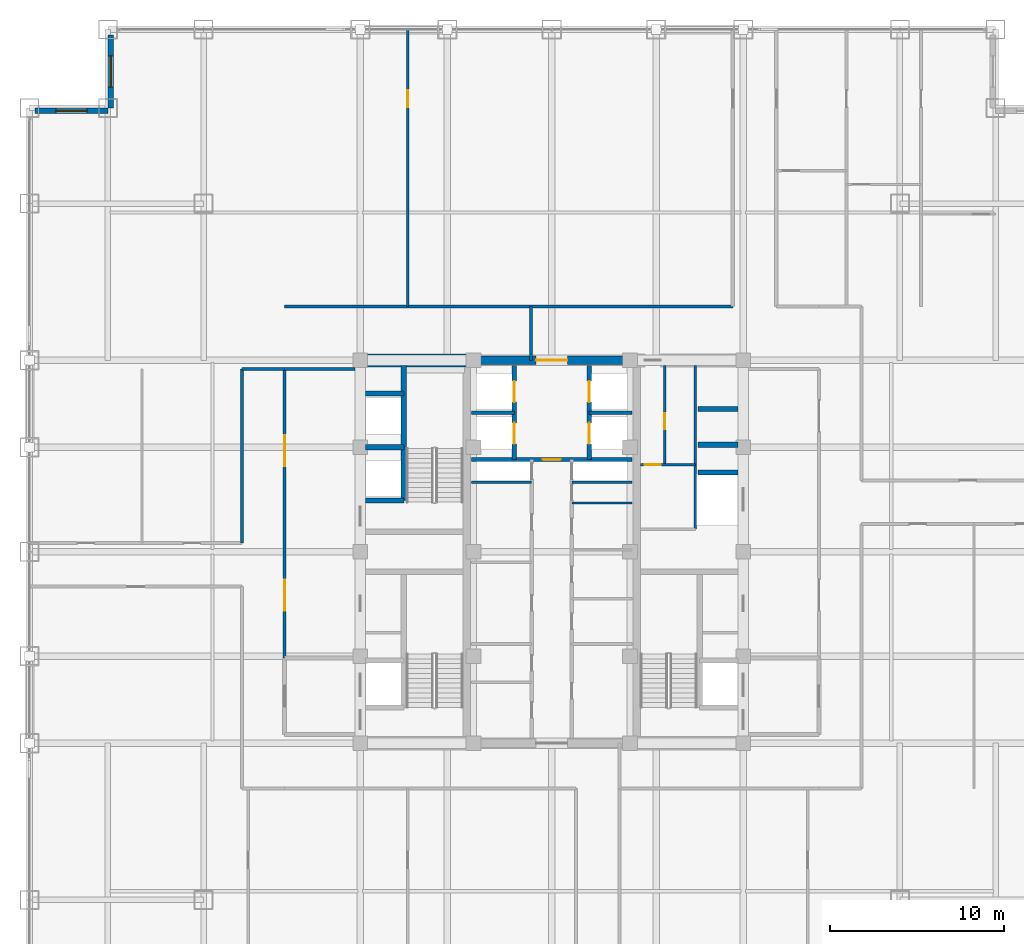
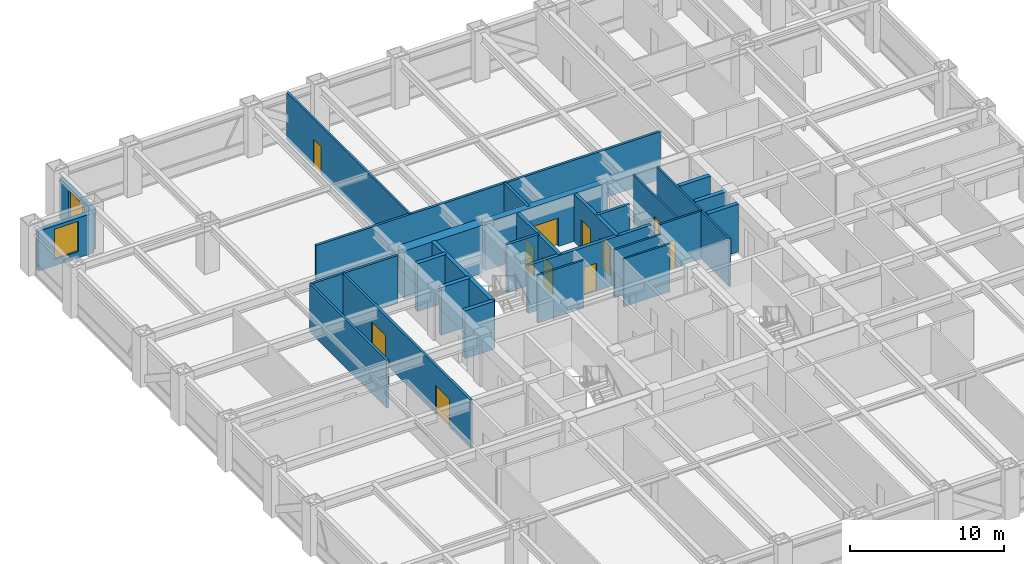
# One storey, part 22 of 24: 29 walls, 11 doors, 2 windows, 13 openings.
"""IFC4 building model written with IfcOpenShell, lengths in metres."""

from ifc_helpers import new_model, si_unit, direction, frame, frame_2d, origin, place, context, subcontext, project, spatial, rectangle, extrude, source, transform, mapped, material, layer, layer_set, type_object, element, fill, save


model = new_model("IFC4")

# Units and contexts
model_context = context("Model", 3, precision=1e-05, world=origin(), true_north=direction((0.0, 1.0)))
body_context = subcontext(model_context, "Body", "Model", "MODEL_VIEW")
ifc_project = project(units=[si_unit("LENGTHUNIT", "METRE"), si_unit("AREAUNIT", "SQUARE_METRE"), si_unit("VOLUMEUNIT", "CUBIC_METRE"), si_unit("PLANEANGLEUNIT", "RADIAN"), si_unit("MASSUNIT", "GRAM", prefix="KILO")], contexts=[model_context])

# Site, building, storey
site_placement = place(None, origin())
site = spatial("IfcSite", under=ifc_project, at=site_placement, CompositionType="ELEMENT")
building_placement = place(site_placement, origin())
building = spatial("IfcBuilding", under=site, at=building_placement, Name="Khorayat Bourse Tower", CompositionType="ELEMENT")
storey_placement = place(building_placement, frame((0.0, 0.0, 203.10009765625)))
storey = spatial("IfcBuildingStorey", under=building, at=storey_placement, Name="L47", CompositionType="ELEMENT", Elevation=203.10009765625)

# Wall
ifc_material_1 = material(Name="Concrete C72/90", Category="concrete")
ifc_layer_1 = layer(ifc_material_1, 0.75)
ifc_layer_set_1 = layer_set([ifc_layer_1], Name="Concrete C72/90")
wall_type_1 = type_object("IfcWallType", Name="WAL-CORE-750", PredefinedType="SHEAR", material=ifc_layer_set_1)
shared_shape_1 = source(origin(), body_context, "Body", "SweptSolid", [
    extrude(rectangle(XDim=5.849853515625, YDim=0.75, at=frame_2d((2.9248046875, 0.0))), origin(), (0.0, 0.0, 1.0), 3.77978515625),
])
wall_1_placement = place(storey_placement, frame((-10.699951171875, 11.0, 0.0), z_axis=(0.0, 0.0, 1.0), x_axis=(1.0, 0.0, 0.0)))
element("IfcWall", 1, at=wall_1_placement, inside=storey, type_object=wall_type_1, Name="L47 Core Shear Wall PIER-WN", PredefinedType="SHEAR", context=body_context, shape_type="MappedRepresentation", body=[
    mapped(shared_shape_1, transform((0.0, 0.0, 0.0), scale=1.0)),
])

# Wall, opening, door
ifc_material_2 = material(Name="Concrete C52/65", Category="concrete")
ifc_layer_2 = layer(ifc_material_2, 0.5)
ifc_layer_set_2 = layer_set([ifc_layer_2], Name="Concrete C52/65")
wall_type_2 = type_object("IfcWallType", Name="WAL-CORE-500", PredefinedType="SHEAR", material=ifc_layer_set_2)
shared_shape_2 = source(origin(), body_context, "Body", "SweptSolid", [
    extrude(rectangle(XDim=9.2001953125, YDim=0.5, at=frame_2d((4.60009765625, 0.0))), origin(), (0.0, 0.0, 1.0), 3.77978515625),
])
wall_2_placement = place(storey_placement, frame((-4.60009765625, 11.0, 0.0), z_axis=(0.0, 0.0, 1.0), x_axis=(1.0, 0.0, 0.0)))
wall_2 = element("IfcWall", 2, at=wall_2_placement, inside=storey, type_object=wall_type_2, Name="L47 Core Shear Wall CORE-N", PredefinedType="SHEAR", context=body_context, shape_type="MappedRepresentation", body=[
    mapped(shared_shape_2, transform((0.0, 0.0, 0.0), scale=1.0)),
])
shared_shape_3 = source(origin(), body_context, "Body", "SweptSolid", [
    extrude(rectangle(XDim=1.800048828125, YDim=2.25, at=frame_2d((0.89990234375, 1.125))), frame((0.0, 0.260009765625, 0.0), z_axis=(0.0, -1.0, 0.0), x_axis=(1.0, 0.0, 0.0)), (0.0, 0.0, 1.0), 0.52001953125),
])
opening_1_placement = place(wall_2_placement, frame((3.699951171875, 0.0, 0.0)))
opening_1 = element("IfcOpeningElement", 3, at=opening_1_placement, cuts=wall_2, Name="Opening DI-03", PredefinedType="OPENING", context=body_context, shape_type="MappedRepresentation", body=[
    mapped(shared_shape_3, transform((0.0, 0.0, 0.0), scale=1.0)),
])
ifc_material_3 = material(Name="Fire-rated hardwood vision-panel double leaf", Category="wood")
door_type_1 = type_object("IfcDoorType", Name="DR-INT-CORR-1800", OperationType="NOTDEFINED", PredefinedType="DOOR", material=ifc_material_3)
shared_shape_4 = source(origin(), body_context, "Body", "SweptSolid", [
    extrude(rectangle(XDim=1.800048828125, YDim=2.25, at=frame_2d((0.89990234375, 1.125))), frame((0.0, 0.02490234375, 0.0), z_axis=(0.0, -1.0, 0.0), x_axis=(1.0, 0.0, 0.0)), (0.0, 0.0, 1.0), 0.050048828125),
])
door_1_placement = place(opening_1_placement, origin())
door_1 = element("IfcDoor", 4, at=door_1_placement, inside=storey, type_object=door_type_1, Name="L47 Mid-Rise Lift Lobby Door", OperationType="SINGLE_SWING_RIGHT", OverallHeight=2.25, OverallWidth=1.800048828125, PredefinedType="DOOR", context=body_context, shape_type="MappedRepresentation", body=[
    mapped(shared_shape_4, transform((0.0, 0.0, 0.0), scale=1.0)),
])
fill(opening_1, door_1)

# Wall, opening, window
ifc_material_4 = material(Name="Precast concrete C45/55", Category="concrete")
ifc_layer_3 = layer(ifc_material_4, 0.320068359375)
ifc_layer_set_3 = layer_set([ifc_layer_3], Name="Precast concrete C45/55")
wall_type_3 = type_object("IfcWallType", Name="WAL-EXT-STONE-320", PredefinedType="STANDARD", material=ifc_layer_set_3)
shared_shape_5 = source(origin(), body_context, "Body", "SweptSolid", [
    extrude(rectangle(XDim=4.179931640625, YDim=0.320068359375, at=frame_2d((2.08984375, 0.0))), origin(), (0.0, 0.0, 1.0), 3.163818359375),
])
wall_3_placement = place(storey_placement, frame((-25.340087890625, 25.5, 0.0), z_axis=(0.0, 0.0, 1.0), x_axis=(0.0, 1.0, 0.0)))
wall_3 = element("IfcWall", 5, at=wall_3_placement, inside=storey, type_object=wall_type_3, Name="L47 Re-Entrant Notch Limestone Wall NW-V", PredefinedType="STANDARD", context=body_context, shape_type="MappedRepresentation", body=[
    mapped(shared_shape_5, transform((0.0, 0.0, 0.0), scale=1.0)),
])
shared_shape_6 = source(origin(), body_context, "Body", "SweptSolid", [
    extrude(rectangle(XDim=1.800048828125, YDim=2.39990234375, at=frame_2d((0.89990234375, 1.199951171875))), frame((0.0, 0.169921875, 0.0), z_axis=(0.0, -1.0, 0.0), x_axis=(1.0, 0.0, 0.0)), (0.0, 0.0, 1.0), 0.340087890625),
])
opening_2_placement = place(wall_3_placement, frame((1.18994140625, 0.0, 0.5)))
opening_2 = element("IfcOpeningElement", 6, at=opening_2_placement, cuts=wall_3, Name="Opening WN-04", PredefinedType="OPENING", context=body_context, shape_type="MappedRepresentation", body=[
    mapped(shared_shape_6, transform((0.0, 0.0, 0.0), scale=1.0)),
])
ifc_material_5 = material(Name="Low-E acoustic laminated double glazing", Category="glass")
window_type = type_object("IfcWindowType", Name="WIN-NOTCH-1800x2400", PartitioningType="SINGLE_PANEL", PredefinedType="WINDOW", material=ifc_material_5)
shared_shape_7 = source(origin(), body_context, "Body", "SweptSolid", [
    extrude(rectangle(XDim=1.800048828125, YDim=2.39990234375, at=frame_2d((0.89990234375, 1.199951171875))), frame((0.0, 0.030029296875, 0.0), z_axis=(0.0, -1.0, 0.0), x_axis=(1.0, 0.0, 0.0)), (0.0, 0.0, 1.0), 0.06005859375),
])
window_1_placement = place(opening_2_placement, origin())
window_1 = element("IfcWindow", 7, at=window_1_placement, inside=storey, type_object=window_type, Name="L47 Facade Window 1", OverallHeight=2.39990234375, OverallWidth=1.800048828125, PartitioningType="SINGLE_PANEL", PredefinedType="WINDOW", context=body_context, shape_type="MappedRepresentation", body=[
    mapped(shared_shape_7, transform((0.0, 0.0, 0.0), scale=1.0)),
])
fill(opening_2, window_1)

wall_4_placement = place(storey_placement, frame((-25.5, 25.340087890625, 0.0), z_axis=(0.0, 0.0, 1.0), x_axis=(-1.0, 0.0, 0.0)))
wall_4 = element("IfcWall", 8, at=wall_4_placement, inside=storey, type_object=wall_type_3, Name="L47 Re-Entrant Notch Limestone Wall NW-H", PredefinedType="STANDARD", context=body_context, shape_type="MappedRepresentation", body=[
    mapped(shared_shape_5, transform((0.0, 0.0, 0.0), scale=1.0)),
])
opening_3_placement = place(wall_4_placement, frame((1.18994140625, 0.0, 0.5)))
opening_3 = element("IfcOpeningElement", 9, at=opening_3_placement, cuts=wall_4, Name="Opening WN-04", PredefinedType="OPENING", context=body_context, shape_type="MappedRepresentation", body=[
    mapped(shared_shape_6, transform((0.0, 0.0, 0.0), scale=1.0)),
])
window_2_placement = place(opening_3_placement, origin())
window_2 = element("IfcWindow", 10, at=window_2_placement, inside=storey, type_object=window_type, Name="L47 Facade Window 1", OverallHeight=2.39990234375, OverallWidth=1.800048828125, PartitioningType="SINGLE_PANEL", PredefinedType="WINDOW", context=body_context, shape_type="MappedRepresentation", body=[
    mapped(shared_shape_7, transform((0.0, 0.0, 0.0), scale=1.0)),
])
fill(opening_3, window_2)

# Walls
ifc_material_6 = material(Name="Concrete C50/60", Category="concrete")
ifc_layer_4 = layer(ifc_material_6, 0.300048828125)
ifc_layer_set_4 = layer_set([ifc_layer_4], Name="Concrete C50/60")
wall_type_4 = type_object("IfcWallType", Name="WAL-SHAFT-300", PredefinedType="SHEAR", material=ifc_layer_set_4)
shared_shape_8 = source(origin(), body_context, "Body", "SweptSolid", [
    extrude(rectangle(XDim=2.199951171875, YDim=0.300048828125, at=frame_2d((1.10009765625, 0.0))), origin(), (0.0, 0.0, 1.0), 3.77978515625),
])
for number, where, z_axis, x_axis, name in (
    (11, (-10.699951171875, 2.949951171875, 0.0), (0.0, 0.0, 1.0), (1.0, 0.0, 0.0), "L47 Partition WAL-L47-WPIER-H1S"),
    (12, (-10.699951171875, 6.0, 0.0), (0.0, 0.0, 1.0), (1.0, 0.0, 0.0), "L47 Partition WAL-L47-WPIER-H12"),
    (13, (-10.699951171875, 9.10009765625, 0.0), (0.0, 0.0, 1.0), (1.0, 0.0, 0.0), "L47 Partition WAL-L47-WPIER-H2N"),
):
    element("IfcWall", number, at=place(storey_placement, frame(where, z_axis=z_axis, x_axis=x_axis)), inside=storey, type_object=wall_type_4, Name=name, PredefinedType="SHEAR", context=body_context, shape_type="MappedRepresentation", body=[
        mapped(shared_shape_8, transform((0.0, 0.0, 0.0), scale=1.0)),
    ])
shared_shape_9 = source(origin(), body_context, "Body", "SweptSolid", [
    extrude(rectangle(XDim=7.75, YDim=0.300048828125, at=frame_2d((3.875, 0.0))), origin(), (0.0, 0.0, 1.0), 3.77978515625),
])
wall_5_placement = place(storey_placement, frame((-8.5, 2.949951171875, 0.0), z_axis=(0.0, 0.0, 1.0), x_axis=(0.0, 1.0, 0.0)))
element("IfcWall", 14, at=wall_5_placement, inside=storey, type_object=wall_type_4, Name="L47 Partition WAL-L47-WPIER-ST2S", PredefinedType="SHEAR", context=body_context, shape_type="MappedRepresentation", body=[
    mapped(shared_shape_9, transform((0.0, 0.0, 0.0), scale=1.0)),
])
shared_shape_10 = source(origin(), body_context, "Body", "SweptSolid", [
    extrude(rectangle(XDim=2.300048828125, YDim=0.300048828125, at=frame_2d((1.14990234375, 0.0))), origin(), (0.0, 0.0, 1.0), 3.77978515625),
])
for number, where, z_axis, x_axis, name in (
    (15, (8.39990234375, 4.550048828125, 0.0), (0.0, 0.0, 1.0), (1.0, 0.0, 0.0), "L47 Partition WAL-L47-EPIER-SVLN"),
    (16, (8.39990234375, 6.14990234375, 0.0), (0.0, 0.0, 1.0), (1.0, 0.0, 0.0), "L47 Partition WAL-L47-EPIER-H3S"),
    (17, (8.39990234375, 8.199951171875, 0.0), (0.0, 0.0, 1.0), (1.0, 0.0, 0.0), "L47 Partition WAL-L47-EPIER-H34"),
):
    element("IfcWall", number, at=place(storey_placement, frame(where, z_axis=z_axis, x_axis=x_axis)), inside=storey, type_object=wall_type_4, Name=name, PredefinedType="SHEAR", context=body_context, shape_type="MappedRepresentation", body=[
        mapped(shared_shape_10, transform((0.0, 0.0, 0.0), scale=1.0)),
    ])
ifc_material_7 = material(Name="Moisture-resistant masonry partition", Category="masonry")
ifc_layer_5 = layer(ifc_material_7, 0.139892578125)
ifc_layer_set_5 = layer_set([ifc_layer_5], Name="Moisture-resistant masonry partition")
wall_type_5 = type_object("IfcWallType", Name="WAL-PART-WET-140", PredefinedType="PARTITIONING", material=ifc_layer_set_5)
shared_shape_11 = source(origin(), body_context, "Body", "SweptSolid", [
    extrude(rectangle(XDim=9.39990234375, YDim=0.139892578125, at=frame_2d((4.699951171875, 0.0))), origin(), (0.0, 0.0, 1.0), 3.77978515625),
])
wall_6_placement = place(storey_placement, frame((8.25, 1.300048828125, 0.0), z_axis=(0.0, 0.0, 1.0), x_axis=(0.0, 1.0, 0.0)))
element("IfcWall", 18, at=wall_6_placement, inside=storey, type_object=wall_type_5, Name="L47 Partition WAL-L47-ECORE-E", PredefinedType="PARTITIONING", context=body_context, shape_type="MappedRepresentation", body=[
    mapped(shared_shape_11, transform((0.0, 0.0, 0.0), scale=1.0)),
])

# Wall, opening, door
shared_shape_12 = source(origin(), body_context, "Body", "SweptSolid", [
    extrude(rectangle(XDim=3.14990234375, YDim=0.139892578125, at=frame_2d((1.574951171875, 0.0))), origin(), (0.0, 0.0, 1.0), 3.77978515625),
])
wall_7_placement = place(storey_placement, frame((5.10009765625, 5.0, 0.0), z_axis=(0.0, 0.0, 1.0), x_axis=(1.0, 0.0, 0.0)))
wall_7 = element("IfcWall", 19, at=wall_7_placement, inside=storey, type_object=wall_type_5, Name="L47 Partition WAL-L47-ECW-BOT", PredefinedType="PARTITIONING", context=body_context, shape_type="MappedRepresentation", body=[
    mapped(shared_shape_12, transform((0.0, 0.0, 0.0), scale=1.0)),
])
shared_shape_13 = source(origin(), body_context, "Body", "SweptSolid", [
    extrude(rectangle(XDim=0.89990234375, YDim=2.14990234375, at=frame_2d((0.449951171875, 1.074951171875))), frame((0.0, 0.079833984375, 0.0), z_axis=(0.0, -1.0, 0.0), x_axis=(1.0, 0.0, 0.0)), (0.0, 0.0, 1.0), 0.159912109375),
])
opening_4_placement = place(wall_7_placement, frame((0.25, 0.0, 0.0)))
opening_4 = element("IfcOpeningElement", 20, at=opening_4_placement, cuts=wall_7, Name="Opening DI-06", PredefinedType="OPENING", context=body_context, shape_type="MappedRepresentation", body=[
    mapped(shared_shape_13, transform((0.0, 0.0, 0.0), scale=1.0)),
])
ifc_material_8 = material(Name="Moisture-resistant laminate washroom door")
door_type_2 = type_object("IfcDoorType", Name="DR-INT-WC-900", OperationType="NOTDEFINED", PredefinedType="DOOR", material=ifc_material_8)
shared_shape_14 = source(origin(), body_context, "Body", "SweptSolid", [
    extrude(rectangle(XDim=0.89990234375, YDim=2.14990234375, at=frame_2d((0.449951171875, 1.074951171875))), frame((0.0, 0.02490234375, 0.0), z_axis=(0.0, -1.0, 0.0), x_axis=(1.0, 0.0, 0.0)), (0.0, 0.0, 1.0), 0.050048828125),
])
door_2_placement = place(opening_4_placement, origin())
door_2 = element("IfcDoor", 21, at=door_2_placement, inside=storey, type_object=door_type_2, Name="L47 Shared Washroom Door", OperationType="SINGLE_SWING_LEFT", OverallHeight=2.14990234375, OverallWidth=0.89990234375, PredefinedType="DOOR", context=body_context, shape_type="MappedRepresentation", body=[
    mapped(shared_shape_14, transform((0.0, 0.0, 0.0), scale=1.0)),
])
fill(opening_4, door_2)

# Wall
ifc_material_9 = material(Name="Gypsum plasterboard acoustic stud wall")
ifc_layer_6 = layer(ifc_material_9, 0.179931640625)
ifc_layer_set_6 = layer_set([ifc_layer_6], Name="Gypsum plasterboard acoustic stud wall")
wall_type_6 = type_object("IfcWallType", Name="WAL-PART-CORR-180", PredefinedType="PARTITIONING", material=ifc_layer_set_6)
shared_shape_15 = source(origin(), body_context, "Body", "SweptSolid", [
    extrude(rectangle(XDim=4.050048828125, YDim=0.179931640625, at=frame_2d((2.02490234375, 0.0))), origin(), (0.0, 0.0, 1.0), 3.77978515625),
])
wall_8_placement = place(storey_placement, frame((-15.35009765625, 10.5, 0.0), z_axis=(0.0, 0.0, 1.0), x_axis=(1.0, 0.0, 0.0)))
element("IfcWall", 22, at=wall_8_placement, inside=storey, type_object=wall_type_6, Name="L47 Partition WAL-L47-WLOB-N", PredefinedType="PARTITIONING", context=body_context, shape_type="MappedRepresentation", body=[
    mapped(shared_shape_15, transform((0.0, 0.0, 0.0), scale=1.0)),
])

# Wall, openings, doors
shared_shape_16 = source(origin(), body_context, "Body", "SweptSolid", [
    extrude(rectangle(XDim=16.60009765625, YDim=0.179931640625, at=frame_2d((8.300048828125, 0.0))), origin(), (0.0, 0.0, 1.0), 3.77978515625),
])
wall_9_placement = place(storey_placement, frame((-15.35009765625, -6.10009765625, 0.0), z_axis=(0.0, 0.0, 1.0), x_axis=(0.0, 1.0, 0.0)))
wall_9 = element("IfcWall", 23, at=wall_9_placement, inside=storey, type_object=wall_type_6, Name="L47 Partition WAL-L47-WLOB-W", PredefinedType="PARTITIONING", context=body_context, shape_type="MappedRepresentation", body=[
    mapped(shared_shape_16, transform((0.0, 0.0, 0.0), scale=1.0)),
])
shared_shape_17 = source(origin(), body_context, "Body", "SweptSolid", [
    extrude(rectangle(XDim=1.800048828125, YDim=2.25, at=frame_2d((0.89990234375, 1.125))), frame((0.0, 0.099853515625, 0.0), z_axis=(0.0, -1.0, 0.0), x_axis=(1.0, 0.0, 0.0)), (0.0, 0.0, 1.0), 0.199951171875),
])
opening_5_placement = place(wall_9_placement, frame((2.699951171875, 0.0, 0.0)))
opening_5 = element("IfcOpeningElement", 24, at=opening_5_placement, cuts=wall_9, Name="Opening DI-03", PredefinedType="OPENING", context=body_context, shape_type="MappedRepresentation", body=[
    mapped(shared_shape_17, transform((0.0, 0.0, 0.0), scale=1.0)),
])
opening_6_placement = place(wall_9_placement, frame((11.0, 0.0, 0.0)))
opening_6 = element("IfcOpeningElement", 25, at=opening_6_placement, cuts=wall_9, Name="Opening DI-03", PredefinedType="OPENING", context=body_context, shape_type="MappedRepresentation", body=[
    mapped(shared_shape_17, transform((0.0, 0.0, 0.0), scale=1.0)),
])
door_3_placement = place(opening_5_placement, origin())
door_3 = element("IfcDoor", 26, at=door_3_placement, inside=storey, type_object=door_type_1, Name="L47 West Core Lobby South Door", OperationType="SINGLE_SWING_LEFT", OverallHeight=2.25, OverallWidth=1.800048828125, PredefinedType="DOOR", context=body_context, shape_type="MappedRepresentation", body=[
    mapped(shared_shape_4, transform((0.0, 0.0, 0.0), scale=1.0)),
])
fill(opening_5, door_3)
door_4_placement = place(opening_6_placement, origin())
door_4 = element("IfcDoor", 27, at=door_4_placement, inside=storey, type_object=door_type_1, Name="L47 West Core Lobby North Door", OperationType="SINGLE_SWING_RIGHT", OverallHeight=2.25, OverallWidth=1.800048828125, PredefinedType="DOOR", context=body_context, shape_type="MappedRepresentation", body=[
    mapped(shared_shape_4, transform((0.0, 0.0, 0.0), scale=1.0)),
])
fill(opening_6, door_4)

# Walls
ifc_material_10 = material(Name="Gypsum plasterboard twin-frame partition")
ifc_layer_7 = layer(ifc_material_10, 0.14990234375)
ifc_layer_set_7 = layer_set([ifc_layer_7], Name="Gypsum plasterboard twin-frame partition")
wall_type_7 = type_object("IfcWallType", Name="WAL-PART-SUITE-150", PredefinedType="PARTITIONING", material=ifc_layer_set_7)
shared_shape_18 = source(origin(), body_context, "Body", "SweptSolid", [
    extrude(rectangle(XDim=3.4501953125, YDim=0.14990234375, at=frame_2d((1.72509765625, 0.0))), origin(), (0.0, 0.0, 1.0), 3.77978515625),
])
for number, where, z_axis, x_axis, name in (
    (28, (-4.60009765625, 4.0, 0.0), (0.0, 0.0, 1.0), (1.0, 0.0, 0.0), "L47 Partition WAL-L47-CRSW-S"),
    (29, (1.14990234375, 4.0, 0.0), (0.0, 0.0, 1.0), (1.0, 0.0, 0.0), "L47 Partition WAL-L47-CRSE-S"),
):
    element("IfcWall", number, at=place(storey_placement, frame(where, z_axis=z_axis, x_axis=x_axis)), inside=storey, type_object=wall_type_7, Name=name, PredefinedType="PARTITIONING", context=body_context, shape_type="MappedRepresentation", body=[
        mapped(shared_shape_18, transform((0.0, 0.0, 0.0), scale=1.0)),
    ])
shared_shape_19 = source(origin(), body_context, "Body", "SweptSolid", [
    extrude(rectangle(XDim=3.4501953125, YDim=0.139892578125, at=frame_2d((1.72509765625, 0.0))), origin(), (0.0, 0.0, 1.0), 3.77978515625),
])
wall_10_placement = place(storey_placement, frame((1.14990234375, 2.800048828125, 0.0), z_axis=(0.0, 0.0, 1.0), x_axis=(1.0, 0.0, 0.0)))
element("IfcWall", 30, at=wall_10_placement, inside=storey, type_object=wall_type_5, Name="L47 Partition WAL-L47-CME-D3", PredefinedType="PARTITIONING", context=body_context, shape_type="MappedRepresentation", body=[
    mapped(shared_shape_19, transform((0.0, 0.0, 0.0), scale=1.0)),
])

# Wall, openings, doors
shared_shape_20 = source(origin(), body_context, "Body", "SweptSolid", [
    extrude(rectangle(XDim=5.39990234375, YDim=0.25, at=frame_2d((2.699951171875, 0.0))), origin(), (0.0, 0.0, 1.0), 3.77978515625),
])
wall_11_placement = place(storey_placement, frame((-2.14990234375, 5.300048828125, 0.0), z_axis=(0.0, 0.0, 1.0), x_axis=(0.0, 1.0, 0.0)))
wall_11 = element("IfcWall", 31, at=wall_11_placement, inside=storey, type_object=wall_type_4, Name="L47 Partition WAL-L47-B2-W", PredefinedType="SHEAR", context=body_context, shape_type="MappedRepresentation", body=[
    mapped(shared_shape_20, transform((0.0, 0.0, 0.0), scale=1.0)),
])
shared_shape_21 = source(origin(), body_context, "Body", "SweptSolid", [
    extrude(rectangle(XDim=1.199951171875, YDim=2.300048828125, at=frame_2d((0.60009765625, 1.14990234375))), frame((0.0, 0.135009765625, 0.0), z_axis=(0.0, -1.0, 0.0), x_axis=(1.0, 0.0, 0.0)), (0.0, 0.0, 1.0), 0.27001953125),
])
opening_7_placement = place(wall_11_placement, frame((3.300048828125, 0.0, 0.0)))
opening_7 = element("IfcOpeningElement", 32, at=opening_7_placement, cuts=wall_11, Name="Opening LD-01", PredefinedType="OPENING", context=body_context, shape_type="MappedRepresentation", body=[
    mapped(shared_shape_21, transform((0.0, 0.0, 0.0), scale=1.0)),
])
opening_8_placement = place(wall_11_placement, frame((0.89990234375, 0.0, 0.0)))
opening_8 = element("IfcOpeningElement", 33, at=opening_8_placement, cuts=wall_11, Name="Opening LD-01", PredefinedType="OPENING", context=body_context, shape_type="MappedRepresentation", body=[
    mapped(shared_shape_21, transform((0.0, 0.0, 0.0), scale=1.0)),
])
ifc_material_11 = material(Name="Brushed bronze stainless-steel sliding door", Category="steel")
door_type_3 = type_object("IfcDoorType", Name="DR-LIFT-PASS-1200", OperationType="NOTDEFINED", PredefinedType="DOOR", material=ifc_material_11)
shared_shape_22 = source(origin(), body_context, "Body", "SweptSolid", [
    extrude(rectangle(XDim=1.199951171875, YDim=2.300048828125, at=frame_2d((0.60009765625, 1.14990234375))), frame((0.0, 0.02490234375, 0.0), z_axis=(0.0, -1.0, 0.0), x_axis=(1.0, 0.0, 0.0)), (0.0, 0.0, 1.0), 0.050048828125),
])
door_5_placement = place(opening_7_placement, origin())
door_5 = element("IfcDoor", 34, at=door_5_placement, inside=storey, type_object=door_type_3, Name="L47 Lift PL-M1 Sliding Landing Door", OperationType="SLIDING_TO_LEFT", OverallHeight=2.300048828125, OverallWidth=1.199951171875, PredefinedType="DOOR", context=body_context, shape_type="MappedRepresentation", body=[
    mapped(shared_shape_22, transform((0.0, 0.0, 0.0), scale=1.0)),
])
fill(opening_7, door_5)
door_6_placement = place(opening_8_placement, origin())
door_6 = element("IfcDoor", 35, at=door_6_placement, inside=storey, type_object=door_type_3, Name="L47 Lift PL-M3 Sliding Landing Door", OperationType="SLIDING_TO_LEFT", OverallHeight=2.300048828125, OverallWidth=1.199951171875, PredefinedType="DOOR", context=body_context, shape_type="MappedRepresentation", body=[
    mapped(shared_shape_22, transform((0.0, 0.0, 0.0), scale=1.0)),
])
fill(opening_8, door_6)

wall_12_placement = place(storey_placement, frame((2.14990234375, 5.300048828125, 0.0), z_axis=(0.0, 0.0, 1.0), x_axis=(0.0, 1.0, 0.0)))
wall_12 = element("IfcWall", 36, at=wall_12_placement, inside=storey, type_object=wall_type_4, Name="L47 Partition WAL-L47-B2-E", PredefinedType="SHEAR", context=body_context, shape_type="MappedRepresentation", body=[
    mapped(shared_shape_20, transform((0.0, 0.0, 0.0), scale=1.0)),
])
opening_9_placement = place(wall_12_placement, frame((3.300048828125, 0.0, 0.0)))
opening_9 = element("IfcOpeningElement", 37, at=opening_9_placement, cuts=wall_12, Name="Opening LD-01", PredefinedType="OPENING", context=body_context, shape_type="MappedRepresentation", body=[
    mapped(shared_shape_21, transform((0.0, 0.0, 0.0), scale=1.0)),
])
opening_10_placement = place(wall_12_placement, frame((0.89990234375, 0.0, 0.0)))
opening_10 = element("IfcOpeningElement", 38, at=opening_10_placement, cuts=wall_12, Name="Opening LD-01", PredefinedType="OPENING", context=body_context, shape_type="MappedRepresentation", body=[
    mapped(shared_shape_21, transform((0.0, 0.0, 0.0), scale=1.0)),
])
door_7_placement = place(opening_9_placement, origin())
door_7 = element("IfcDoor", 39, at=door_7_placement, inside=storey, type_object=door_type_3, Name="L47 Lift PL-M2 Sliding Landing Door", OperationType="SLIDING_TO_LEFT", OverallHeight=2.300048828125, OverallWidth=1.199951171875, PredefinedType="DOOR", context=body_context, shape_type="MappedRepresentation", body=[
    mapped(shared_shape_22, transform((0.0, 0.0, 0.0), scale=1.0)),
])
fill(opening_9, door_7)
door_8_placement = place(opening_10_placement, origin())
door_8 = element("IfcDoor", 40, at=door_8_placement, inside=storey, type_object=door_type_3, Name="L47 Lift PL-M4 Sliding Landing Door", OperationType="SLIDING_TO_LEFT", OverallHeight=2.300048828125, OverallWidth=1.199951171875, PredefinedType="DOOR", context=body_context, shape_type="MappedRepresentation", body=[
    mapped(shared_shape_22, transform((0.0, 0.0, 0.0), scale=1.0)),
])
fill(opening_10, door_8)

# Walls
shared_shape_23 = source(origin(), body_context, "Body", "SweptSolid", [
    extrude(rectangle(XDim=2.4501953125, YDim=0.199951171875, at=frame_2d((1.22509765625, 0.0))), origin(), (0.0, 0.0, 1.0), 3.77978515625),
])
for number, where, z_axis, x_axis, name in (
    (41, (-4.60009765625, 8.0, 0.0), (0.0, 0.0, 1.0), (1.0, 0.0, 0.0), "L47 Partition WAL-L47-B2-MW"),
    (42, (2.14990234375, 8.0, 0.0), (0.0, 0.0, 1.0), (1.0, 0.0, 0.0), "L47 Partition WAL-L47-B2-ME"),
):
    element("IfcWall", number, at=place(storey_placement, frame(where, z_axis=z_axis, x_axis=x_axis)), inside=storey, type_object=wall_type_4, Name=name, PredefinedType="SHEAR", context=body_context, shape_type="MappedRepresentation", body=[
        mapped(shared_shape_23, transform((0.0, 0.0, 0.0), scale=1.0)),
    ])

# Wall, opening, door
shared_shape_24 = source(origin(), body_context, "Body", "SweptSolid", [
    extrude(rectangle(XDim=9.2001953125, YDim=0.25, at=frame_2d((4.60009765625, 0.0))), origin(), (0.0, 0.0, 1.0), 3.77978515625),
])
wall_13_placement = place(storey_placement, frame((-4.60009765625, 5.300048828125, 0.0), z_axis=(0.0, 0.0, 1.0), x_axis=(1.0, 0.0, 0.0)))
wall_13 = element("IfcWall", 43, at=wall_13_placement, inside=storey, type_object=wall_type_4, Name="L47 Partition WAL-L47-B2-S", PredefinedType="SHEAR", context=body_context, shape_type="MappedRepresentation", body=[
    mapped(shared_shape_24, transform((0.0, 0.0, 0.0), scale=1.0)),
])
shared_shape_25 = source(origin(), body_context, "Body", "SweptSolid", [
    extrude(rectangle(XDim=1.050048828125, YDim=2.199951171875, at=frame_2d((0.52490234375, 1.10009765625))), frame((0.0, 0.135009765625, 0.0), z_axis=(0.0, -1.0, 0.0), x_axis=(1.0, 0.0, 0.0)), (0.0, 0.0, 1.0), 0.27001953125),
])
opening_11_placement = place(wall_13_placement, frame((4.074951171875, 0.0, 0.0)))
opening_11 = element("IfcOpeningElement", 44, at=opening_11_placement, cuts=wall_13, Name="Opening DI-04", PredefinedType="OPENING", context=body_context, shape_type="MappedRepresentation", body=[
    mapped(shared_shape_25, transform((0.0, 0.0, 0.0), scale=1.0)),
])
ifc_material_12 = material(Name="Fire-rated oak veneer suite entrance door")
door_type_4 = type_object("IfcDoorType", Name="DR-INT-SUITE-1050", OperationType="NOTDEFINED", PredefinedType="DOOR", material=ifc_material_12)
shared_shape_26 = source(origin(), body_context, "Body", "SweptSolid", [
    extrude(rectangle(XDim=1.050048828125, YDim=2.199951171875, at=frame_2d((0.52490234375, 1.10009765625))), frame((0.0, 0.02490234375, 0.0), z_axis=(0.0, -1.0, 0.0), x_axis=(1.0, 0.0, 0.0)), (0.0, 0.0, 1.0), 0.050048828125),
])
door_9_placement = place(opening_11_placement, origin())
door_9 = element("IfcDoor", 45, at=door_9_placement, inside=storey, type_object=door_type_4, Name="L47 Core Spine North Door", OperationType="SINGLE_SWING_RIGHT", OverallHeight=2.199951171875, OverallWidth=1.050048828125, PredefinedType="DOOR", context=body_context, shape_type="MappedRepresentation", body=[
    mapped(shared_shape_26, transform((0.0, 0.0, 0.0), scale=1.0)),
])
fill(opening_11, door_9)

# Wall
shared_shape_27 = source(origin(), body_context, "Body", "SweptSolid", [
    extrude(rectangle(XDim=2.449951171875, YDim=0.179931640625, at=frame_2d((1.22509765625, 0.0))), origin(), (0.0, 0.0, 1.0), 3.77978515625),
])
wall_14_placement = place(storey_placement, frame((-17.800048828125, 10.5, 0.0), z_axis=(0.0, 0.0, 1.0), x_axis=(1.0, 0.0, 0.0)))
element("IfcWall", 46, at=wall_14_placement, inside=storey, type_object=wall_type_6, Name="L47 Partition WAL-L47-C2-WN", PredefinedType="PARTITIONING", context=body_context, shape_type="MappedRepresentation", body=[
    mapped(shared_shape_27, transform((0.0, 0.0, 0.0), scale=1.0)),
])

# Wall, opening, door
shared_shape_28 = source(origin(), body_context, "Body", "SweptSolid", [
    extrude(rectangle(XDim=5.699951171875, YDim=0.139892578125, at=frame_2d((2.85009765625, 0.0))), origin(), (0.0, 0.0, 1.0), 3.77978515625),
])
wall_15_placement = place(storey_placement, frame((6.5, 5.0, 0.0), z_axis=(0.0, 0.0, 1.0), x_axis=(0.0, 1.0, 0.0)))
wall_15 = element("IfcWall", 47, at=wall_15_placement, inside=storey, type_object=wall_type_5, Name="L47 Partition WAL-L47-ECW-MID", PredefinedType="PARTITIONING", context=body_context, shape_type="MappedRepresentation", body=[
    mapped(shared_shape_28, transform((0.0, 0.0, 0.0), scale=1.0)),
])
opening_12_placement = place(wall_15_placement, frame((2.050048828125, 0.0, 0.0)))
opening_12 = element("IfcOpeningElement", 48, at=opening_12_placement, cuts=wall_15, Name="Opening DI-06", PredefinedType="OPENING", context=body_context, shape_type="MappedRepresentation", body=[
    mapped(shared_shape_13, transform((0.0, 0.0, 0.0), scale=1.0)),
])
door_10_placement = place(opening_12_placement, origin())
door_10 = element("IfcDoor", 49, at=door_10_placement, inside=storey, type_object=door_type_2, Name="L47 Accessible WC Door", OperationType="SINGLE_SWING_RIGHT", OverallHeight=2.14990234375, OverallWidth=0.89990234375, PredefinedType="DOOR", context=body_context, shape_type="MappedRepresentation", body=[
    mapped(shared_shape_14, transform((0.0, 0.0, 0.0), scale=1.0)),
])
fill(opening_12, door_10)

# Wall
shared_shape_29 = source(origin(), body_context, "Body", "SweptSolid", [
    extrude(rectangle(XDim=3.10009765625, YDim=0.179931640625, at=frame_2d((1.550048828125, 0.0))), origin(), (0.0, 0.0, 1.0), 3.77978515625),
])
wall_16_placement = place(storey_placement, frame((-1.199951171875, 11.0, 0.0), z_axis=(0.0, 0.0, 1.0), x_axis=(0.0, 1.0, 0.0)))
element("IfcWall", 50, at=wall_16_placement, inside=storey, type_object=wall_type_6, Name="L47 Partition WAL-L47-C2-NCW", PredefinedType="PARTITIONING", context=body_context, shape_type="MappedRepresentation", body=[
    mapped(shared_shape_29, transform((0.0, 0.0, 0.0), scale=1.0)),
])

# Wall, opening, door
shared_shape_30 = source(origin(), body_context, "Body", "SweptSolid", [
    extrude(rectangle(XDim=15.89990234375, YDim=0.14990234375, at=frame_2d((7.949951171875, 0.0))), origin(), (0.0, 0.0, 1.0), 3.77978515625),
])
wall_17_placement = place(storey_placement, frame((-8.26806640625, 14.10009765625, 0.0), z_axis=(0.0, 0.0, 1.0), x_axis=(0.0, 1.0, 0.0)))
wall_17 = element("IfcWall", 51, at=wall_17_placement, inside=storey, type_object=wall_type_7, Name="L47 Partition WAL-L47-QNWDV-1", PredefinedType="PARTITIONING", context=body_context, shape_type="MappedRepresentation", body=[
    mapped(shared_shape_30, transform((0.0, 0.0, 0.0), scale=1.0)),
])
shared_shape_31 = source(origin(), body_context, "Body", "SweptSolid", [
    extrude(rectangle(XDim=0.949951171875, YDim=2.14990234375, at=frame_2d((0.47509765625, 1.074951171875))), frame((0.0, 0.0849609375, 0.0), z_axis=(0.0, -1.0, 0.0), x_axis=(1.0, 0.0, 0.0)), (0.0, 0.0, 1.0), 0.169921875),
])
opening_13_placement = place(wall_17_placement, frame((11.449951171875, 0.0, 0.0)))
opening_13 = element("IfcOpeningElement", 52, at=opening_13_placement, cuts=wall_17, Name="Opening DI-05", PredefinedType="OPENING", context=body_context, shape_type="MappedRepresentation", body=[
    mapped(shared_shape_31, transform((0.0, 0.0, 0.0), scale=1.0)),
])
ifc_material_13 = material(Name="Acoustic oak veneer office door")
door_type_5 = type_object("IfcDoorType", Name="DR-INT-OFFICE-950", OperationType="NOTDEFINED", PredefinedType="DOOR", material=ifc_material_13)
shared_shape_32 = source(origin(), body_context, "Body", "SweptSolid", [
    extrude(rectangle(XDim=0.949951171875, YDim=2.14990234375, at=frame_2d((0.47509765625, 1.074951171875))), frame((0.0, 0.02490234375, 0.0), z_axis=(0.0, -1.0, 0.0), x_axis=(1.0, 0.0, 0.0)), (0.0, 0.0, 1.0), 0.050048828125),
])
door_11_placement = place(opening_13_placement, origin())
door_11 = element("IfcDoor", 53, at=door_11_placement, inside=storey, type_object=door_type_5, Name="L47 North-West Suite Link 1", OperationType="SINGLE_SWING_RIGHT", OverallHeight=2.14990234375, OverallWidth=0.949951171875, PredefinedType="DOOR", context=body_context, shape_type="MappedRepresentation", body=[
    mapped(shared_shape_32, transform((0.0, 0.0, 0.0), scale=1.0)),
])
fill(opening_13, door_11)

# Walls
shared_shape_33 = source(origin(), body_context, "Body", "SweptSolid", [
    extrude(rectangle(XDim=25.75, YDim=0.179931640625, at=frame_2d((12.875, 0.0))), origin(), (0.0, 0.0, 1.0), 3.77978515625),
])
wall_18_placement = place(storey_placement, frame((-15.35009765625, 14.10009765625, 0.0), z_axis=(0.0, 0.0, 1.0), x_axis=(1.0, 0.0, 0.0)))
element("IfcWall", 54, at=wall_18_placement, inside=storey, type_object=wall_type_6, Name="L47 Partition WAL-L47-QNW-HC", PredefinedType="PARTITIONING", context=body_context, shape_type="MappedRepresentation", body=[
    mapped(shared_shape_33, transform((0.0, 0.0, 0.0), scale=1.0)),
])
shared_shape_34 = source(origin(), body_context, "Body", "SweptSolid", [
    extrude(rectangle(XDim=10.0, YDim=0.179931640625, at=frame_2d((5.0, 0.0))), origin(), (0.0, 0.0, 1.0), 3.77978515625),
])
wall_19_placement = place(storey_placement, frame((-17.800048828125, 0.5, 0.0), z_axis=(0.0, 0.0, 1.0), x_axis=(0.0, 1.0, 0.0)))
element("IfcWall", 55, at=wall_19_placement, inside=storey, type_object=wall_type_6, Name="L47 Partition WAL-L47-WN-IN", PredefinedType="PARTITIONING", context=body_context, shape_type="MappedRepresentation", body=[
    mapped(shared_shape_34, transform((0.0, 0.0, 0.0), scale=1.0)),
])

save(model, "model.ifc")
